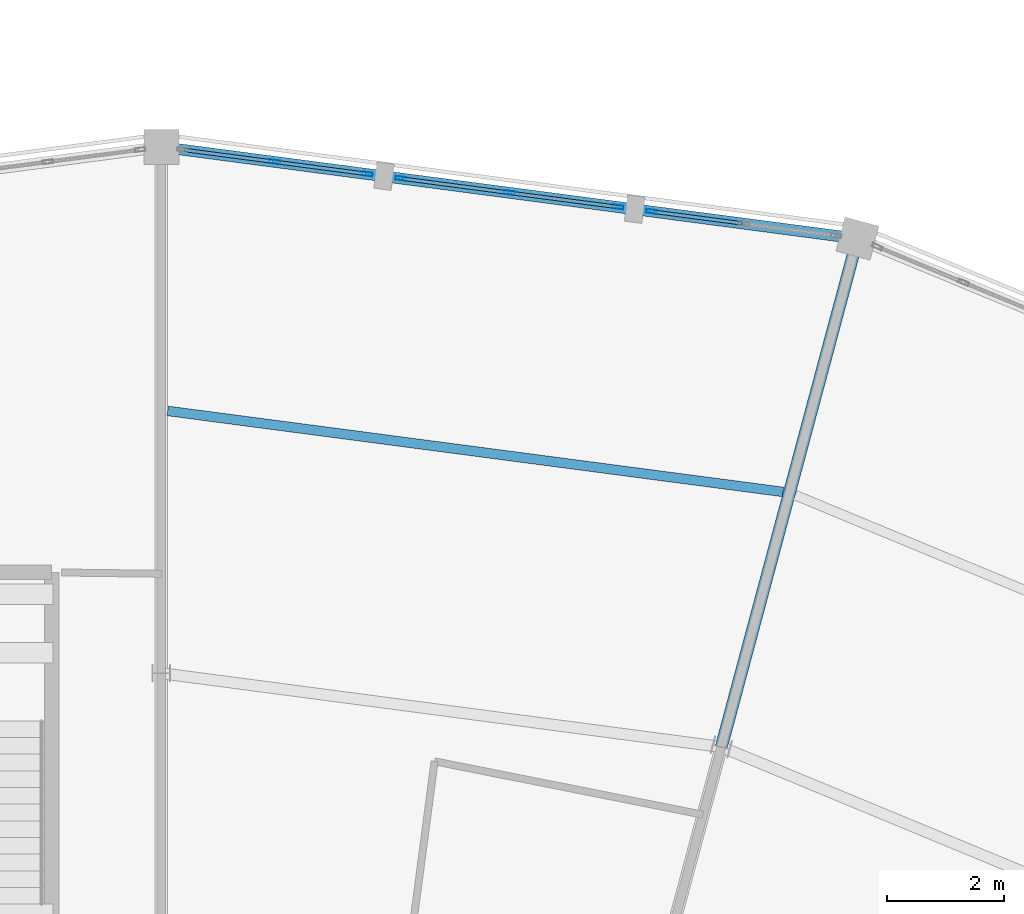
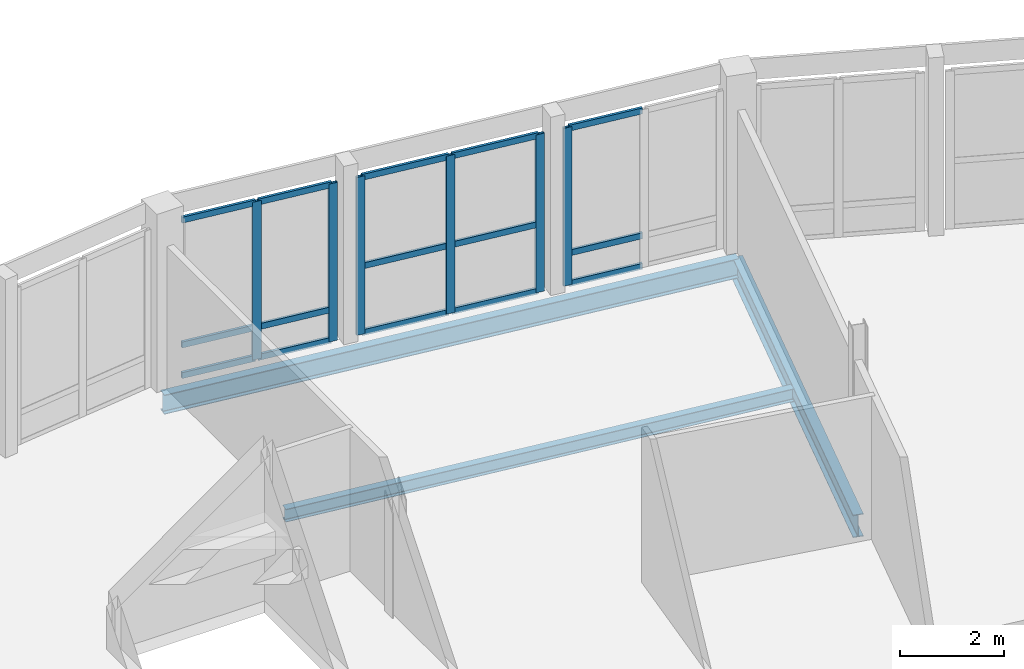
# One storey, part 84 of 170: 21 members, 3 beams, 3 elements without a shape of their own.
"""IFC4 building model written with IfcOpenShell, lengths in metres."""

from ifc_helpers import new_model, si_unit, direction, frame, origin, origin_2d, place, context, subcontext, project, spatial, hollow_rectangle, i_section, extrude, material, material_profile, profile_set, type_object, element, aggregate, save


model = new_model("IFC4")

# Units and contexts
model_context = context("Model", 3, precision=1e-05, world=origin(), true_north=direction((0.0, 1.0)))
body_context = subcontext(model_context, "Body", "Model", "MODEL_VIEW")
ifc_project = project(units=[si_unit("LENGTHUNIT", "METRE"), si_unit("AREAUNIT", "SQUARE_METRE"), si_unit("VOLUMEUNIT", "CUBIC_METRE"), si_unit("PLANEANGLEUNIT", "RADIAN"), si_unit("MASSUNIT", "GRAM", prefix="KILO")], contexts=[model_context])

# Site, building, storey
site_placement = place(None, origin())
site = spatial("IfcSite", under=ifc_project, at=site_placement, CompositionType="ELEMENT")
building_placement = place(site_placement, origin())
building = spatial("IfcBuilding", under=site, at=building_placement, Name="Vondelvale Polytechnic", CompositionType="ELEMENT")
storey_placement = place(building_placement, frame((0.0, 0.0, 5.39990234375)))
storey = spatial("IfcBuildingStorey", under=building, at=storey_placement, Name="L01", CompositionType="ELEMENT", Elevation=5.39990234375)

# Beams
ifc_material_1 = material(Name="Steel 300PLUS (fy = 300 MPa)", Category="steel")
ifc_material_profile_1 = material_profile(ifc_material_1, i_section(OverallWidth=0.18994140625, OverallDepth=0.45703125, WebThickness=0.009033203125, FlangeThickness=0.014404296875, FilletRadius=0.011474609375, at=origin_2d()), Name="460UB74.6")
ifc_profile_set_1 = profile_set([ifc_material_profile_1], Name="Steel 300PLUS (fy = 300 MPa)")
beam_type_1 = type_object("IfcBeamType", Name="BM-UB460", PredefinedType="BEAM", material=ifc_profile_set_1)
beam_1_placement = place(storey_placement, frame((113.90576171875, 116.4326171875, -0.50830078125), z_axis=(-0.991445297315, 0.130522880875, 0.0), x_axis=(-0.130522880875, -0.991445297315, 0.0)))
element("IfcBeam", 1, at=beam_1_placement, inside=storey, type_object=beam_type_1, Name="L01 RB B-13", PredefinedType="BEAM", context=body_context, shape_type="SweptSolid", body=[
    extrude(i_section(OverallWidth=0.18994140625, OverallDepth=0.45703125, WebThickness=0.009033203125, FlangeThickness=0.014404296875, FilletRadius=0.011474609375, at=origin_2d()), origin(), (0.0, 0.0, 1.0), 12.008544921875),
])
ifc_material_profile_2 = material_profile(ifc_material_1, i_section(OverallWidth=0.208984375, OverallDepth=0.532958984375, WebThickness=0.01025390625, FlangeThickness=0.015625, FilletRadius=0.013916015625, at=origin_2d()), Name="530UB92.4")
ifc_profile_set_2 = profile_set([ifc_material_profile_2], Name="Steel 300PLUS (fy = 300 MPa)")
beam_type_2 = type_object("IfcBeamType", Name="BM-UB530", PredefinedType="BEAM", material=ifc_profile_set_2)
beam_2_placement = place(storey_placement, frame((111.576416015625, 107.7392578125, -0.54638671875), z_axis=(0.25881563226, 0.965926740751, 0.0), x_axis=(-0.965926740751, 0.25881563226, 0.0)))
element("IfcBeam", 2, at=beam_2_placement, inside=storey, type_object=beam_type_2, Name="L01 RG B-11", PredefinedType="BEAM", context=body_context, shape_type="SweptSolid", body=[
    extrude(i_section(OverallWidth=0.208984375, OverallDepth=0.532958984375, WebThickness=0.01025390625, FlangeThickness=0.015625, FilletRadius=0.013916015625, at=origin_2d()), origin(), (0.0, 0.0, 1.0), 9.0),
])

# Curtain wall, member
ifc_material_2 = material(Name="Glulam GL18 structural Tasmanian oak (fb = 42 MPa)", Category="wood")
curtain_wall_type = type_object("IfcCurtainWallType", Name="CW-RING-OUTER", PredefinedType="NOTDEFINED", material=ifc_material_2)
curtain_wall_1_placement = place(storey_placement, origin())
curtain_wall_1 = element("IfcCurtainWall", 3, at=curtain_wall_1_placement, inside=storey, type_object=curtain_wall_type, Name="L01 architectural curtain wall CW-04-136", PredefinedType="NOTDEFINED")
ifc_material_3 = material(Name="Anodised extruded aluminium 6063-T6", Category="aluminium")
ifc_material_profile_3 = material_profile(ifc_material_3, hollow_rectangle(XDim=0.06494140625, YDim=0.179931640625, WallThickness=0.00390625, at=origin_2d()), Name="CW-MUL-180x65")
ifc_profile_set_3 = profile_set([ifc_material_profile_3], Name="Anodised extruded aluminium 6063-T6")
member_type_1 = type_object("IfcMemberType", Name="CW-MUL-65x180", PredefinedType="MULLION", material=ifc_profile_set_3)
member_1_placement = place(storey_placement, frame((110.380859375, 116.896728515625, 0.0), z_axis=(0.0, 0.0, 1.0), x_axis=(-0.130539547729, -0.991443102996, 0.0)))
member_1 = element("IfcMember", 4, at=member_1_placement, type_object=member_type_1, Name="CW-04-136 mullion 3", PredefinedType="MULLION", context=body_context, shape_type="SweptSolid", body=[
    extrude(hollow_rectangle(XDim=0.06494140625, YDim=0.179931640625, WallThickness=0.00390625, at=origin_2d()), origin(), (0.0, 0.0, 1.0), 3.72021484375),
])

# Curtain wall, members
curtain_wall_2_placement = place(storey_placement, origin())
curtain_wall_2 = element("IfcCurtainWall", 5, at=curtain_wall_2_placement, inside=storey, type_object=curtain_wall_type, Name="L01 architectural curtain wall CW-04-137", PredefinedType="NOTDEFINED")
member_2_placement = place(storey_placement, frame((109.810791015625, 116.9716796875, 0.0), z_axis=(0.0, 0.0, 1.0), x_axis=(-0.130497251349, -0.991448671082, 0.0)))
member_2 = element("IfcMember", 6, at=member_2_placement, type_object=member_type_1, Name="CW-04-137 mullion 1", PredefinedType="MULLION", context=body_context, shape_type="SweptSolid", body=[
    extrude(hollow_rectangle(XDim=0.06494140625, YDim=0.179931640625, WallThickness=0.00390625, at=origin_2d()), origin(), (0.0, 0.0, 1.0), 3.72021484375),
])
member_3_placement = place(storey_placement, frame((107.952880859375, 117.21630859375, 0.0), z_axis=(0.0, 0.0, 1.0), x_axis=(-0.130497251349, -0.991448671082, 0.0)))
member_3 = element("IfcMember", 7, at=member_3_placement, type_object=member_type_1, Name="CW-04-137 mullion 2", PredefinedType="MULLION", context=body_context, shape_type="SweptSolid", body=[
    extrude(hollow_rectangle(XDim=0.06494140625, YDim=0.179931640625, WallThickness=0.00390625, at=origin_2d()), origin(), (0.0, 0.0, 1.0), 3.72021484375),
])
member_4_placement = place(storey_placement, frame((106.0947265625, 117.4609375, 0.0), z_axis=(0.0, 0.0, 1.0), x_axis=(-0.130497251349, -0.991448671082, 0.0)))
member_4 = element("IfcMember", 8, at=member_4_placement, type_object=member_type_1, Name="CW-04-137 mullion 3", PredefinedType="MULLION", context=body_context, shape_type="SweptSolid", body=[
    extrude(hollow_rectangle(XDim=0.06494140625, YDim=0.179931640625, WallThickness=0.00390625, at=origin_2d()), origin(), (0.0, 0.0, 1.0), 3.72021484375),
])

curtain_wall_3_placement = place(storey_placement, origin())
curtain_wall_3 = element("IfcCurtainWall", 9, at=curtain_wall_3_placement, inside=storey, type_object=curtain_wall_type, Name="L01 architectural curtain wall CW-04-138", PredefinedType="NOTDEFINED")
member_5_placement = place(storey_placement, frame((105.524658203125, 117.535888671875, 0.0), z_axis=(0.0, 0.0, 1.0), x_axis=(-0.130539547729, -0.991443102996, 0.0)))
member_5 = element("IfcMember", 10, at=member_5_placement, type_object=member_type_1, Name="CW-04-138 mullion 1", PredefinedType="MULLION", context=body_context, shape_type="SweptSolid", body=[
    extrude(hollow_rectangle(XDim=0.06494140625, YDim=0.179931640625, WallThickness=0.00390625, at=origin_2d()), origin(), (0.0, 0.0, 1.0), 3.72021484375),
])
member_6_placement = place(storey_placement, frame((103.943359375, 117.744140625, 0.0), z_axis=(0.0, 0.0, 1.0), x_axis=(-0.130539547729, -0.991443102996, 0.0)))
member_6 = element("IfcMember", 11, at=member_6_placement, type_object=member_type_1, Name="CW-04-138 mullion 2", PredefinedType="MULLION", context=body_context, shape_type="SweptSolid", body=[
    extrude(hollow_rectangle(XDim=0.06494140625, YDim=0.179931640625, WallThickness=0.00390625, at=origin_2d()), origin(), (0.0, 0.0, 1.0), 3.72021484375),
])

# Member
ifc_material_profile_4 = material_profile(ifc_material_3, hollow_rectangle(XDim=0.06005859375, YDim=0.139892578125, WallThickness=0.00341796875, at=origin_2d()), Name="CW-TRN-140x60")
ifc_profile_set_4 = profile_set([ifc_material_profile_4], Name="Anodised extruded aluminium 6063-T6")
member_type_2 = type_object("IfcMemberType", Name="CW-TRN-60x140", PredefinedType="USERDEFINED", material=ifc_profile_set_4)
member_7_placement = place(storey_placement, frame((111.929931640625, 116.692626953125, 0.030029296875), z_axis=(-0.991443972703, 0.130532942165, 0.0), x_axis=(-0.130532942165, -0.991443972703, 0.0)))
member_7 = element("IfcMember", 12, at=member_7_placement, type_object=member_type_2, Name="CW-04-136 transom 2.1", ObjectType="TRANSOM", PredefinedType="USERDEFINED", context=body_context, shape_type="SweptSolid", body=[
    extrude(hollow_rectangle(XDim=0.06005859375, YDim=0.139892578125, WallThickness=0.00341796875, at=origin_2d()), origin(), (0.0, 0.0, 1.0), 1.530029296875),
])

member_8_placement = place(storey_placement, frame((111.929931640625, 116.692626953125, 0.75), z_axis=(-0.991443972703, 0.130532942165, 0.0), x_axis=(-0.130532942165, -0.991443972703, 0.0)))
member_8 = element("IfcMember", 13, at=member_8_placement, type_object=member_type_2, Name="CW-04-136 transom 2.2", ObjectType="TRANSOM", PredefinedType="USERDEFINED", context=body_context, shape_type="SweptSolid", body=[
    extrude(hollow_rectangle(XDim=0.06005859375, YDim=0.139892578125, WallThickness=0.00341796875, at=origin_2d()), origin(), (0.0, 0.0, 1.0), 1.530029296875),
])

member_9_placement = place(storey_placement, frame((111.929931640625, 116.692626953125, 3.690185546875), z_axis=(-0.991443972703, 0.130532942165, 0.0), x_axis=(-0.130532942165, -0.991443972703, 0.0)))
member_9 = element("IfcMember", 14, at=member_9_placement, type_object=member_type_2, Name="CW-04-136 transom 2.3", ObjectType="TRANSOM", PredefinedType="USERDEFINED", context=body_context, shape_type="SweptSolid", body=[
    extrude(hollow_rectangle(XDim=0.06005859375, YDim=0.139892578125, WallThickness=0.00341796875, at=origin_2d()), origin(), (0.0, 0.0, 1.0), 1.530029296875),
])

aggregate(curtain_wall_1, [member_1, member_7, member_8, member_9])

member_10_placement = place(storey_placement, frame((109.778564453125, 116.97607421875, 0.030029296875), z_axis=(-0.991446943979, 0.130510372288, 0.0), x_axis=(-0.130510372288, -0.991446943979, 0.0)))
member_10 = element("IfcMember", 15, at=member_10_placement, type_object=member_type_2, Name="CW-04-137 transom 1.1", ObjectType="TRANSOM", PredefinedType="USERDEFINED", context=body_context, shape_type="SweptSolid", body=[
    extrude(hollow_rectangle(XDim=0.06005859375, YDim=0.139892578125, WallThickness=0.00341796875, at=origin_2d()), origin(), (0.0, 0.0, 1.0), 1.808837890625),
])

member_11_placement = place(storey_placement, frame((109.778564453125, 116.97607421875, 1.60009765625), z_axis=(-0.991446943979, 0.130510372288, 0.0), x_axis=(-0.130510372288, -0.991446943979, 0.0)))
member_11 = element("IfcMember", 16, at=member_11_placement, type_object=member_type_2, Name="CW-04-137 transom 1.2", ObjectType="TRANSOM", PredefinedType="USERDEFINED", context=body_context, shape_type="SweptSolid", body=[
    extrude(hollow_rectangle(XDim=0.06005859375, YDim=0.139892578125, WallThickness=0.00341796875, at=origin_2d()), origin(), (0.0, 0.0, 1.0), 1.808837890625),
])

member_12_placement = place(storey_placement, frame((109.778564453125, 116.97607421875, 3.690185546875), z_axis=(-0.991446943979, 0.130510372288, 0.0), x_axis=(-0.130510372288, -0.991446943979, 0.0)))
member_12 = element("IfcMember", 17, at=member_12_placement, type_object=member_type_2, Name="CW-04-137 transom 1.3", ObjectType="TRANSOM", PredefinedType="USERDEFINED", context=body_context, shape_type="SweptSolid", body=[
    extrude(hollow_rectangle(XDim=0.06005859375, YDim=0.139892578125, WallThickness=0.00341796875, at=origin_2d()), origin(), (0.0, 0.0, 1.0), 1.808837890625),
])

member_13_placement = place(storey_placement, frame((107.920654296875, 117.220458984375, 0.030029296875), z_axis=(-0.991449242357, 0.130492911033, 0.0), x_axis=(-0.130492911033, -0.991449242357, 0.0)))
member_13 = element("IfcMember", 18, at=member_13_placement, type_object=member_type_2, Name="CW-04-137 transom 2.1", ObjectType="TRANSOM", PredefinedType="USERDEFINED", context=body_context, shape_type="SweptSolid", body=[
    extrude(hollow_rectangle(XDim=0.06005859375, YDim=0.139892578125, WallThickness=0.00341796875, at=origin_2d()), origin(), (0.0, 0.0, 1.0), 1.80908203125),
])

member_14_placement = place(storey_placement, frame((107.920654296875, 117.220458984375, 1.60009765625), z_axis=(-0.991449242357, 0.130492911033, 0.0), x_axis=(-0.130492911033, -0.991449242357, 0.0)))
member_14 = element("IfcMember", 19, at=member_14_placement, type_object=member_type_2, Name="CW-04-137 transom 2.2", ObjectType="TRANSOM", PredefinedType="USERDEFINED", context=body_context, shape_type="SweptSolid", body=[
    extrude(hollow_rectangle(XDim=0.06005859375, YDim=0.139892578125, WallThickness=0.00341796875, at=origin_2d()), origin(), (0.0, 0.0, 1.0), 1.80908203125),
])

member_15_placement = place(storey_placement, frame((107.920654296875, 117.220458984375, 3.690185546875), z_axis=(-0.991449242357, 0.130492911033, 0.0), x_axis=(-0.130492911033, -0.991449242357, 0.0)))
member_15 = element("IfcMember", 20, at=member_15_placement, type_object=member_type_2, Name="CW-04-137 transom 2.3", ObjectType="TRANSOM", PredefinedType="USERDEFINED", context=body_context, shape_type="SweptSolid", body=[
    extrude(hollow_rectangle(XDim=0.06005859375, YDim=0.139892578125, WallThickness=0.00341796875, at=origin_2d()), origin(), (0.0, 0.0, 1.0), 1.80908203125),
])

aggregate(curtain_wall_2, [member_2, member_3, member_4, member_10, member_11, member_12, member_13, member_14, member_15])

member_16_placement = place(storey_placement, frame((105.49267578125, 117.540283203125, 0.030029296875), z_axis=(-0.991446691045, 0.130512293736, 0.0), x_axis=(-0.130512293736, -0.991446691045, 0.0)))
member_16 = element("IfcMember", 21, at=member_16_placement, type_object=member_type_2, Name="CW-04-138 transom 1.1", ObjectType="TRANSOM", PredefinedType="USERDEFINED", context=body_context, shape_type="SweptSolid", body=[
    extrude(hollow_rectangle(XDim=0.06005859375, YDim=0.139892578125, WallThickness=0.00341796875, at=origin_2d()), origin(), (0.0, 0.0, 1.0), 1.5302734375),
])

member_17_placement = place(storey_placement, frame((105.49267578125, 117.540283203125, 0.75), z_axis=(-0.991446691045, 0.130512293736, 0.0), x_axis=(-0.130512293736, -0.991446691045, 0.0)))
member_17 = element("IfcMember", 22, at=member_17_placement, type_object=member_type_2, Name="CW-04-138 transom 1.2", ObjectType="TRANSOM", PredefinedType="USERDEFINED", context=body_context, shape_type="SweptSolid", body=[
    extrude(hollow_rectangle(XDim=0.06005859375, YDim=0.139892578125, WallThickness=0.00341796875, at=origin_2d()), origin(), (0.0, 0.0, 1.0), 1.5302734375),
])

member_18_placement = place(storey_placement, frame((105.49267578125, 117.540283203125, 3.690185546875), z_axis=(-0.991446691045, 0.130512293736, 0.0), x_axis=(-0.130512293736, -0.991446691045, 0.0)))
member_18 = element("IfcMember", 23, at=member_18_placement, type_object=member_type_2, Name="CW-04-138 transom 1.3", ObjectType="TRANSOM", PredefinedType="USERDEFINED", context=body_context, shape_type="SweptSolid", body=[
    extrude(hollow_rectangle(XDim=0.06005859375, YDim=0.139892578125, WallThickness=0.00341796875, at=origin_2d()), origin(), (0.0, 0.0, 1.0), 1.5302734375),
])

member_19_placement = place(storey_placement, frame((103.9111328125, 117.748291015625, 0.030029296875), z_axis=(-0.991443972703, 0.130532942165, 0.0), x_axis=(-0.130532942165, -0.991443972703, 0.0)))
member_19 = element("IfcMember", 24, at=member_19_placement, type_object=member_type_2, Name="CW-04-138 transom 2.1", ObjectType="TRANSOM", PredefinedType="USERDEFINED", context=body_context, shape_type="SweptSolid", body=[
    extrude(hollow_rectangle(XDim=0.06005859375, YDim=0.139892578125, WallThickness=0.00341796875, at=origin_2d()), origin(), (0.0, 0.0, 1.0), 1.530029296875),
])

member_20_placement = place(storey_placement, frame((103.9111328125, 117.748291015625, 0.75), z_axis=(-0.991443972703, 0.130532942165, 0.0), x_axis=(-0.130532942165, -0.991443972703, 0.0)))
member_20 = element("IfcMember", 25, at=member_20_placement, type_object=member_type_2, Name="CW-04-138 transom 2.2", ObjectType="TRANSOM", PredefinedType="USERDEFINED", context=body_context, shape_type="SweptSolid", body=[
    extrude(hollow_rectangle(XDim=0.06005859375, YDim=0.139892578125, WallThickness=0.00341796875, at=origin_2d()), origin(), (0.0, 0.0, 1.0), 1.530029296875),
])

member_21_placement = place(storey_placement, frame((103.9111328125, 117.748291015625, 3.690185546875), z_axis=(-0.991443972703, 0.130532942165, 0.0), x_axis=(-0.130532942165, -0.991443972703, 0.0)))
member_21 = element("IfcMember", 26, at=member_21_placement, type_object=member_type_2, Name="CW-04-138 transom 2.3", ObjectType="TRANSOM", PredefinedType="USERDEFINED", context=body_context, shape_type="SweptSolid", body=[
    extrude(hollow_rectangle(XDim=0.06005859375, YDim=0.139892578125, WallThickness=0.00341796875, at=origin_2d()), origin(), (0.0, 0.0, 1.0), 1.530029296875),
])

aggregate(curtain_wall_3, [member_5, member_6, member_16, member_17, member_18, member_19, member_20, member_21])

# Beam
ifc_material_profile_5 = material_profile(ifc_material_1, i_section(OverallWidth=0.1650390625, OverallDepth=0.303955078125, WebThickness=0.006103515625, FlangeThickness=0.01025390625, FilletRadius=0.011474609375, at=origin_2d()), Name="310UB40.4")
ifc_profile_set_5 = profile_set([ifc_material_profile_5], Name="Steel 300PLUS (fy = 300 MPa)")
beam_type_3 = type_object("IfcBeamType", Name="JST-UB310", PredefinedType="JOIST", material=ifc_profile_set_5)
beam_3_placement = place(storey_placement, frame((112.6318359375, 112.100341796875, -0.431884765625), z_axis=(-0.991445916013, 0.13051818119, 0.0), x_axis=(-0.13051818119, -0.991445916013, 0.0)))
element("IfcBeam", 27, at=beam_3_placement, inside=storey, type_object=beam_type_3, Name="L01 RJ J-05", PredefinedType="JOIST", context=body_context, shape_type="SweptSolid", body=[
    extrude(i_section(OverallWidth=0.1650390625, OverallDepth=0.303955078125, WebThickness=0.006103515625, FlangeThickness=0.01025390625, FilletRadius=0.011474609375, at=origin_2d()), origin(), (0.0, 0.0, 1.0), 10.613525390625),
])

save(model, "model.ifc")
